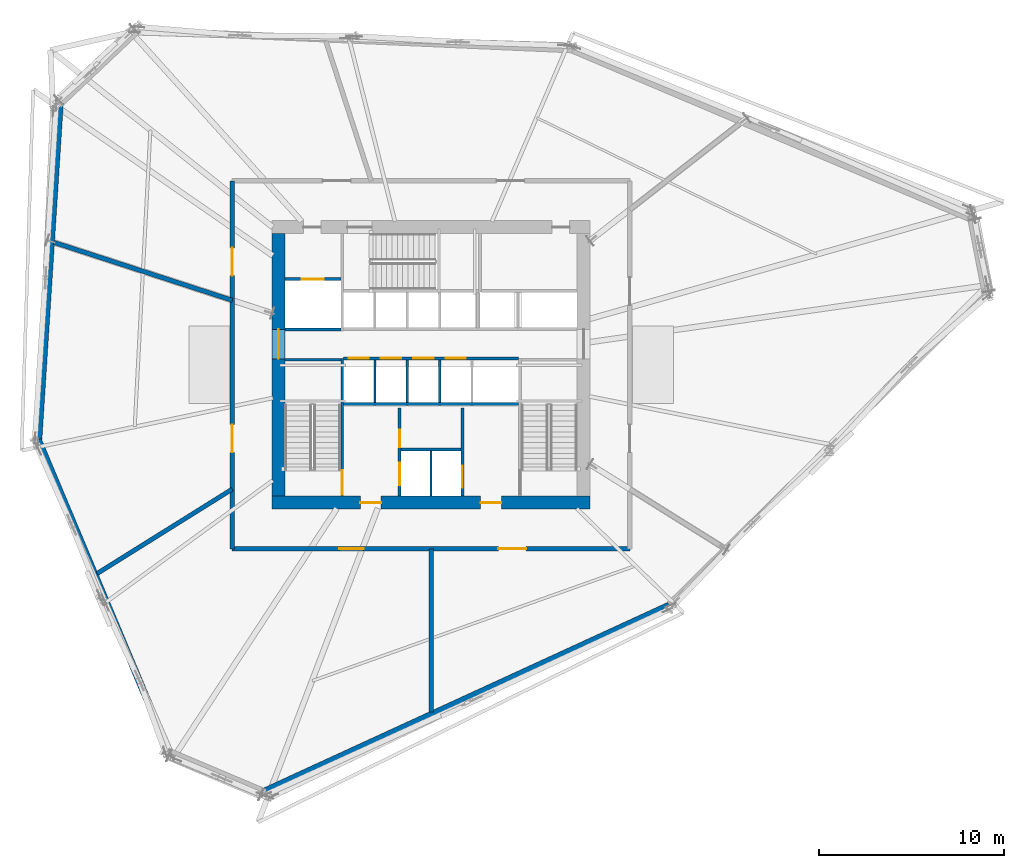
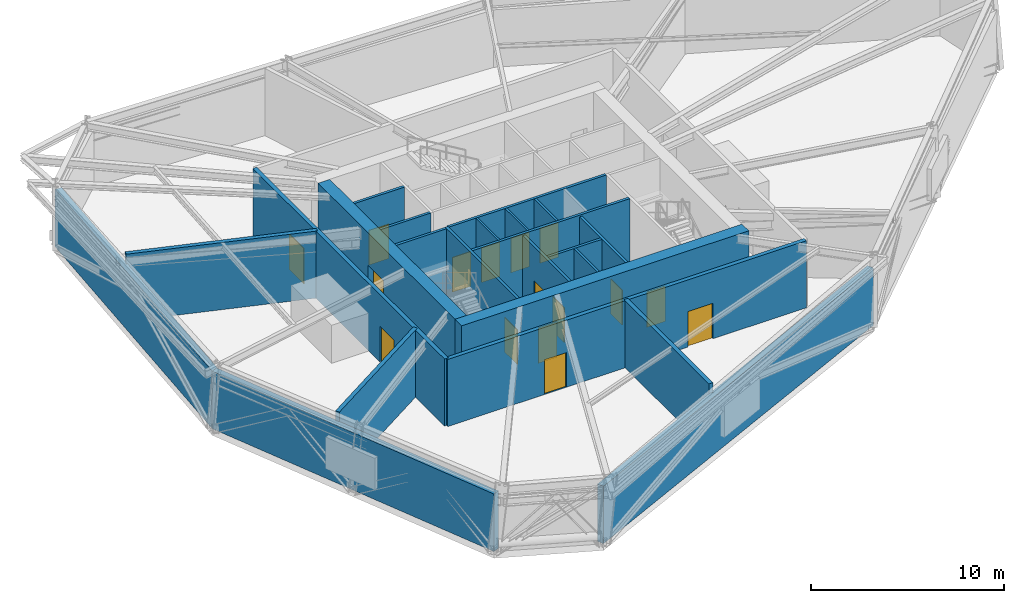
# One storey, part 9 of 15: 23 walls, 16 doors, 16 openings.
"""IFC4 building model written with IfcOpenShell, lengths in metres."""

from ifc_helpers import new_model, si_unit, direction, frame, frame_2d, origin, place, context, subcontext, project, spatial, rectangle, extrude, source, transform, mapped, material, layer, layer_set, type_object, type_shapes, element, fill, save


model = new_model("IFC4")

# Units and contexts
model_context = context("Model", 3, precision=1e-05, world=origin(), true_north=direction((0.0, 1.0)))
body_context = subcontext(model_context, "Body", "Model", "MODEL_VIEW")
ifc_project = project(units=[si_unit("LENGTHUNIT", "METRE"), si_unit("AREAUNIT", "SQUARE_METRE"), si_unit("VOLUMEUNIT", "CUBIC_METRE"), si_unit("PLANEANGLEUNIT", "RADIAN"), si_unit("MASSUNIT", "GRAM", prefix="KILO")], contexts=[model_context])

# Site, building, storey
site_placement = place(None, origin())
site = spatial("IfcSite", under=ifc_project, at=site_placement, CompositionType="ELEMENT")
building_placement = place(site_placement, origin())
building = spatial("IfcBuilding", under=site, at=building_placement, Name="Olszyna Solenne Hotel", CompositionType="ELEMENT")
storey_placement = place(building_placement, frame((0.0, 0.0, 79.89990234375)))
storey = spatial("IfcBuildingStorey", under=building, at=storey_placement, Name="L20", CompositionType="ELEMENT", Elevation=79.89990234375)

# Wall, openings, doors
ifc_material_1 = material(Name="Concrete C60/75", Category="concrete")
ifc_layer_1 = layer(ifc_material_1, 0.699951171875, Name="Concrete C60/75")
ifc_layer_set_1 = layer_set([ifc_layer_1], Name="Concrete C60/75")
wall_type_1 = type_object("IfcWallType", Name="WL-CR700", PredefinedType="SHEAR", material=ifc_layer_set_1)
wall_1_placement = place(storey_placement, frame((46.60009765625, 19.14990234375, 0.0), z_axis=(0.0, 0.0, 1.0), x_axis=(-1.0, 0.0, 0.0)))
wall_1 = element("IfcWall", 1, at=wall_1_placement, inside=storey, type_object=wall_type_1, Name="Core shear wall WL-CR700 CRW-L20-S", PredefinedType="SHEAR", context=body_context, shape_type="SweptSolid", body=[
    extrude(rectangle(XDim=17.2001953125, YDim=0.699951171875, at=frame_2d((8.60009765625, 0.0))), origin(), (0.0, 0.0, 1.0), 4.25),
])
opening_1_placement = place(wall_1_placement, frame((4.800048828125, 0.0, 0.0)))
opening_1 = element("IfcOpeningElement", 2, at=opening_1_placement, cuts=wall_1, Name="Opening FL-L20-1", PredefinedType="OPENING", context=body_context, shape_type="SweptSolid", body=[
    extrude(rectangle(XDim=1.1201171875, YDim=2.25, at=frame_2d((0.56005859375, 1.125))), frame((0.0, 0.35986328125, 0.0), z_axis=(0.0, -1.0, 0.0), x_axis=(1.0, 0.0, 0.0)), (0.0, 0.0, 1.0), 0.719970703125),
])
opening_2_placement = place(wall_1_placement, frame((11.300048828125, 0.0, 0.0)))
opening_2 = element("IfcOpeningElement", 3, at=opening_2_placement, cuts=wall_1, Name="Opening FL-L20-2", PredefinedType="OPENING", context=body_context, shape_type="SweptSolid", body=[
    extrude(rectangle(XDim=1.1201171875, YDim=2.25, at=frame_2d((0.56005859375, 1.125))), frame((0.0, 0.35986328125, 0.0), z_axis=(0.0, -1.0, 0.0), x_axis=(1.0, 0.0, 0.0)), (0.0, 0.0, 1.0), 0.719970703125),
])
ifc_material_2 = material(Name="Steel S355J2", Category="steel")
door_type_1 = type_object("IfcDoorType", Name="DR-FL1", OperationType="NOTDEFINED", PredefinedType="DOOR", material=ifc_material_2)
shared_shape_1 = source(origin(), body_context, "Body", "SweptSolid", [
    extrude(rectangle(XDim=1.1201171875, YDim=2.25, at=frame_2d((0.56005859375, 1.125))), frame((0.0, 0.02490234375, 0.0), z_axis=(0.0, -1.0, 0.0), x_axis=(1.0, 0.0, 0.0)), (0.0, 0.0, 1.0), 0.050048828125),
])
type_shapes(door_type_1, [shared_shape_1])
door_1_placement = place(opening_1_placement, origin())
door_1 = element("IfcDoor", 4, at=door_1_placement, inside=storey, type_object=door_type_1, Name="Firefighting lift lobby smoke door FL-L20-1", OperationType="SINGLE_SWING_LEFT", OverallHeight=2.25, OverallWidth=1.1201171875, PredefinedType="DOOR", context=body_context, shape_type="MappedRepresentation", body=[
    mapped(shared_shape_1, transform((0.0, 0.0, 0.0), x_axis=(1.0, 0.0, 0.0), y_axis=(0.0, 1.0, 0.0), z_axis=(0.0, 0.0, 1.0), scale=1.0)),
])
fill(opening_1, door_1)
door_2_placement = place(opening_2_placement, origin())
door_2 = element("IfcDoor", 5, at=door_2_placement, inside=storey, type_object=door_type_1, Name="Firefighting lift lobby smoke door FL-L20-2", OperationType="SINGLE_SWING_RIGHT", OverallHeight=2.25, OverallWidth=1.1201171875, PredefinedType="DOOR", context=body_context, shape_type="MappedRepresentation", body=[
    mapped(shared_shape_1, transform((0.0, 0.0, 0.0), x_axis=(1.0, 0.0, 0.0), y_axis=(0.0, 1.0, 0.0), z_axis=(0.0, 0.0, 1.0), scale=1.0)),
])
fill(opening_2, door_2)

# Wall, opening, door
wall_2_placement = place(storey_placement, frame((29.75, 19.5, 0.0), z_axis=(0.0, 0.0, 1.0), x_axis=(0.0, 1.0, 0.0)))
wall_2 = element("IfcWall", 6, at=wall_2_placement, inside=storey, type_object=wall_type_1, Name="Core shear wall WL-CR700 CRW-L20-W", PredefinedType="SHEAR", context=body_context, shape_type="SweptSolid", body=[
    extrude(rectangle(XDim=14.199951171875, YDim=0.699951171875, at=frame_2d((7.10009765625, 0.0))), origin(), (0.0, 0.0, 1.0), 4.25),
])
opening_3_placement = place(wall_2_placement, frame((7.419921875, 0.0, 0.0)))
opening_3 = element("IfcOpeningElement", 7, at=opening_3_placement, cuts=wall_2, Name="Opening LHD-L20-W", PredefinedType="OPENING", context=body_context, shape_type="SweptSolid", body=[
    extrude(rectangle(XDim=1.60009765625, YDim=2.199951171875, at=frame_2d((0.800048828125, 1.10009765625))), frame((0.0, 0.35986328125, 0.0), z_axis=(0.0, -1.0, 0.0), x_axis=(1.0, 0.0, 0.0)), (0.0, 0.0, 1.0), 0.719970703125),
])
ifc_material_3 = material(Name="Timber hardwood", Category="wood")
door_type_2 = type_object("IfcDoorType", Name="DR-CR1", OperationType="DOUBLE_DOOR_SINGLE_SWING", PredefinedType="DOOR", material=ifc_material_3)
shared_shape_2 = source(origin(), body_context, "Body", "SweptSolid", [
    extrude(rectangle(XDim=1.60009765625, YDim=2.199951171875, at=frame_2d((0.800048828125, 1.10009765625))), frame((0.0, 0.02490234375, 0.0), z_axis=(0.0, -1.0, 0.0), x_axis=(1.0, 0.0, 0.0)), (0.0, 0.0, 1.0), 0.050048828125),
])
type_shapes(door_type_2, [shared_shape_2])
door_3_placement = place(opening_3_placement, origin())
door_3 = element("IfcDoor", 8, at=door_3_placement, inside=storey, type_object=door_type_2, Name="Passenger lift lobby West fire door LHD-L20-W", OperationType="DOUBLE_DOOR_SINGLE_SWING", OverallHeight=2.199951171875, OverallWidth=1.60009765625, PredefinedType="DOOR", context=body_context, shape_type="MappedRepresentation", body=[
    mapped(shared_shape_2, transform((0.0, 0.0, 0.0), x_axis=(1.0, 0.0, 0.0), y_axis=(0.0, 1.0, 0.0), z_axis=(0.0, 0.0, 1.0), scale=1.0)),
])
fill(opening_3, door_3)

# Walls
ifc_material_4 = material(Name="Terracotta cladding on precast concrete C45/55", Category="masonry")
ifc_layer_2 = layer(ifc_material_4, 0.3798828125, Name="Terracotta cladding on precast concrete C45/55")
ifc_layer_set_2 = layer_set([ifc_layer_2], Name="Terracotta cladding on precast concrete C45/55")
wall_type_2 = type_object("IfcWallType", Name="WL-EX380", PredefinedType="SOLIDWALL", material=ifc_layer_set_2)
wall_3_placement = place(storey_placement, frame((50.87646484375, 13.589599609375, 0.0), z_axis=(0.0, 0.0, 1.0), x_axis=(-0.908687697163, -0.417476549072, 0.0)))
element("IfcWall", 9, at=wall_3_placement, inside=storey, type_object=wall_type_2, Name="Exterior terracotta-precast frame wall WL-EX380 EW-L20-01", PredefinedType="SOLIDWALL", context=body_context, shape_type="SweptSolid", body=[
    extrude(rectangle(XDim=24.21728515625, YDim=0.3798828125, at=frame_2d((12.108642578125, 0.0))), origin(), (0.0, 0.0, 1.0), 3.64208984375),
])
wall_4_placement = place(storey_placement, frame((23.853271484375, 5.607177734375, 0.0), z_axis=(0.0, 0.0, 1.0), x_axis=(-0.386717925578, 0.922198051417, 0.0)))
element("IfcWall", 10, at=wall_4_placement, inside=storey, type_object=wall_type_2, Name="Exterior terracotta-precast frame wall WL-EX380 EW-L20-03", PredefinedType="SOLIDWALL", context=body_context, shape_type="SweptSolid", body=[
    extrude(rectangle(XDim=18.369384765625, YDim=0.3798828125, at=frame_2d((9.1845703125, 0.0))), origin(), (0.0, 0.0, 1.0), 3.64208984375),
])
wall_5_placement = place(storey_placement, frame((16.763916015625, 22.4619140625, 0.0), z_axis=(0.0, 0.0, 1.0), x_axis=(0.063622704695, 0.997974023433, 0.0)))
element("IfcWall", 11, at=wall_5_placement, inside=storey, type_object=wall_type_2, Name="Exterior terracotta-precast frame wall WL-EX380 EW-L20-04", PredefinedType="SOLIDWALL", context=body_context, shape_type="SweptSolid", body=[
    extrude(rectangle(XDim=18.369140625, YDim=0.3798828125, at=frame_2d((9.1845703125, 0.0))), origin(), (0.0, 0.0, 1.0), 3.64208984375),
])
ifc_material_5 = material(Name="Acoustic gypsum partition", Category="gypsum")
ifc_layer_3 = layer(ifc_material_5, 0.125, Name="Acoustic gypsum partition")
ifc_layer_set_3 = layer_set([ifc_layer_3], Name="Acoustic gypsum partition")
wall_type_3 = type_object("IfcWallType", Name="WL-PT125", PredefinedType="PARTITIONING", material=ifc_layer_set_3)
wall_6_placement = place(storey_placement, frame((38.0, 19.5, 0.0), z_axis=(0.0, 0.0, 1.0), x_axis=(0.0, 1.0, 0.0)))
element("IfcWall", 12, at=wall_6_placement, inside=storey, type_object=wall_type_3, Name="Core shaft compartment wall CW-L20-FFM", PredefinedType="PARTITIONING", context=body_context, shape_type="SweptSolid", body=[
    extrude(rectangle(XDim=2.4599609375, YDim=0.125, at=frame_2d((1.22998046875, 0.0))), origin(), (0.0, 0.0, 1.0), 4.25),
])
for number, where, z_axis, x_axis, name in (
    (13, (34.965087890625, 24.56005859375, 0.0), (0.0, 0.0, 1.0), (0.0, 1.0, 0.0), "Core shaft compartment wall CW-L20-DIVS349"),
    (14, (36.715087890625, 24.56005859375, 0.0), (0.0, 0.0, 1.0), (0.0, 1.0, 0.0), "Core shaft compartment wall CW-L20-DIVS367"),
    (15, (38.465087890625, 24.56005859375, 0.0), (0.0, 0.0, 1.0), (0.0, 1.0, 0.0), "Core shaft compartment wall CW-L20-DIVS384"),
):
    element("IfcWall", number, at=place(storey_placement, frame(where, z_axis=z_axis, x_axis=x_axis)), inside=storey, type_object=wall_type_3, Name=name, PredefinedType="PARTITIONING", context=body_context, shape_type="SweptSolid", body=[
        extrude(rectangle(XDim=2.31005859375, YDim=0.125, at=frame_2d((1.155029296875, 0.0))), origin(), (0.0, 0.0, 1.0), 4.25),
    ])

# Wall, opening, door
ifc_layer_4 = layer(ifc_material_5, 0.159912109375, Name="Acoustic gypsum partition")
ifc_layer_set_4 = layer_set([ifc_layer_4], Name="Acoustic gypsum partition")
wall_type_4 = type_object("IfcWallType", Name="WL-PT160", PredefinedType="PARTITIONING", material=ifc_layer_set_4)
wall_7_placement = place(storey_placement, frame((33.199951171875, 19.5, 0.0), z_axis=(0.0, 0.0, 1.0), x_axis=(0.0, 1.0, 0.0)))
wall_7 = element("IfcWall", 16, at=wall_7_placement, inside=storey, type_object=wall_type_4, Name="Core shaft compartment wall CW-L20-ST1E", PredefinedType="PARTITIONING", context=body_context, shape_type="SweptSolid", body=[
    extrude(rectangle(XDim=7.4599609375, YDim=0.159912109375, at=frame_2d((3.72998046875, 0.0))), origin(), (0.0, 0.0, 1.0), 4.25),
])
opening_4_placement = place(wall_7_placement, frame((0.080078125, 0.0, 0.0)))
opening_4 = element("IfcOpeningElement", 17, at=opening_4_placement, cuts=wall_7, Name="Opening STD-L20-01", PredefinedType="OPENING", context=body_context, shape_type="SweptSolid", body=[
    extrude(rectangle(XDim=1.320068359375, YDim=2.199951171875, at=frame_2d((0.66015625, 1.10009765625))), frame((0.0, 0.08984375, 0.0), z_axis=(0.0, -1.0, 0.0), x_axis=(1.0, 0.0, 0.0)), (0.0, 0.0, 1.0), 0.179931640625),
])
door_type_3 = type_object("IfcDoorType", Name="DR-ST1", OperationType="NOTDEFINED", PredefinedType="DOOR", material=ifc_material_2)
shared_shape_3 = source(origin(), body_context, "Body", "SweptSolid", [
    extrude(rectangle(XDim=1.320068359375, YDim=2.199951171875, at=frame_2d((0.66015625, 1.10009765625))), frame((0.0, 0.02490234375, 0.0), z_axis=(0.0, -1.0, 0.0), x_axis=(1.0, 0.0, 0.0)), (0.0, 0.0, 1.0), 0.050048828125),
])
type_shapes(door_type_3, [shared_shape_3])
door_4_placement = place(opening_4_placement, origin())
door_4 = element("IfcDoor", 18, at=door_4_placement, inside=storey, type_object=door_type_3, Name="Pressurised exit stair ST1 fire door STD-L20-01", OperationType="SINGLE_SWING_LEFT", OverallHeight=2.199951171875, OverallWidth=1.320068359375, PredefinedType="DOOR", context=body_context, shape_type="MappedRepresentation", body=[
    mapped(shared_shape_3, transform((0.0, 0.0, 0.0), x_axis=(1.0, 0.0, 0.0), y_axis=(0.0, 1.0, 0.0), z_axis=(0.0, 0.0, 1.0), scale=1.0)),
])
fill(opening_4, door_4)

# Wall
wall_8_placement = place(storey_placement, frame((30.10009765625, 26.8798828125, 0.0), z_axis=(0.0, 0.0, 1.0), x_axis=(1.0, 0.0, 0.0)))
element("IfcWall", 19, at=wall_8_placement, inside=storey, type_object=wall_type_4, Name="Core shaft compartment wall CW-L20-ST1N", PredefinedType="PARTITIONING", context=body_context, shape_type="SweptSolid", body=[
    extrude(rectangle(XDim=3.02001953125, YDim=0.159912109375, at=frame_2d((1.510009765625, 0.0))), origin(), (0.0, 0.0, 1.0), 4.25),
])

# Wall, openings, doors
wall_9_placement = place(storey_placement, frame((36.300048828125, 19.5, 0.0), z_axis=(0.0, 0.0, 1.0), x_axis=(0.0, 1.0, 0.0)))
wall_9 = element("IfcWall", 20, at=wall_9_placement, inside=storey, type_object=wall_type_4, Name="Core shaft compartment wall CW-L20-FF1W", PredefinedType="PARTITIONING", context=body_context, shape_type="SweptSolid", body=[
    extrude(rectangle(XDim=4.780029296875, YDim=0.159912109375, at=frame_2d((2.39013671875, 0.0))), origin(), (0.0, 0.0, 1.0), 4.25),
])
opening_5_placement = place(wall_9_placement, frame((0.60009765625, 0.0, 0.0)))
opening_5 = element("IfcOpeningElement", 21, at=opening_5_placement, cuts=wall_9, Name="Opening LD-L20-FF1", PredefinedType="OPENING", context=body_context, shape_type="SweptSolid", body=[
    extrude(rectangle(XDim=1.199951171875, YDim=2.199951171875, at=frame_2d((0.60009765625, 1.10009765625))), frame((0.0, 0.08984375, 0.0), z_axis=(0.0, -1.0, 0.0), x_axis=(1.0, 0.0, 0.0)), (0.0, 0.0, 1.0), 0.179931640625),
])
opening_6_placement = place(wall_9_placement, frame((2.64990234375, 0.0, 0.0)))
opening_6 = element("IfcOpeningElement", 22, at=opening_6_placement, cuts=wall_9, Name="Opening SVD-L20-SMK", PredefinedType="OPENING", context=body_context, shape_type="SweptSolid", body=[
    extrude(rectangle(XDim=0.949951171875, YDim=2.10009765625, at=frame_2d((0.47509765625, 1.050048828125))), frame((0.0, 0.08984375, 0.0), z_axis=(0.0, -1.0, 0.0), x_axis=(1.0, 0.0, 0.0)), (0.0, 0.0, 1.0), 0.179931640625),
])
door_type_4 = type_object("IfcDoorType", Name="DR-SV1", OperationType="NOTDEFINED", PredefinedType="DOOR", material=ifc_material_2)
shared_shape_4 = source(origin(), body_context, "Body", "SweptSolid", [
    extrude(rectangle(XDim=0.949951171875, YDim=2.10009765625, at=frame_2d((0.47509765625, 1.050048828125))), frame((0.0, 0.02490234375, 0.0), z_axis=(0.0, -1.0, 0.0), x_axis=(1.0, 0.0, 0.0)), (0.0, 0.0, 1.0), 0.050048828125),
])
type_shapes(door_type_4, [shared_shape_4])
door_5_placement = place(opening_6_placement, origin())
door_5 = element("IfcDoor", 23, at=door_5_placement, inside=storey, type_object=door_type_4, Name="Valet and core service room door SVD-L20-SMK", OperationType="SINGLE_SWING_LEFT", OverallHeight=2.10009765625, OverallWidth=0.949951171875, PredefinedType="DOOR", context=body_context, shape_type="MappedRepresentation", body=[
    mapped(shared_shape_4, transform((0.0, 0.0, 0.0), x_axis=(1.0, 0.0, 0.0), y_axis=(0.0, 1.0, 0.0), z_axis=(0.0, 0.0, 1.0), scale=1.0)),
])
fill(opening_6, door_5)
door_type_5 = type_object("IfcDoorType", Name="LD-FF1", OperationType="DOUBLE_DOOR_SLIDING", PredefinedType="DOOR", material=ifc_material_2)
shared_shape_5 = source(origin(), body_context, "Body", "SweptSolid", [
    extrude(rectangle(XDim=1.199951171875, YDim=2.199951171875, at=frame_2d((0.60009765625, 1.10009765625))), frame((0.0, 0.02490234375, 0.0), z_axis=(0.0, -1.0, 0.0), x_axis=(1.0, 0.0, 0.0)), (0.0, 0.0, 1.0), 0.050048828125),
])
type_shapes(door_type_5, [shared_shape_5])
door_6_placement = place(opening_5_placement, origin())
door_6 = element("IfcDoor", 24, at=door_6_placement, inside=storey, type_object=door_type_5, Name="Firefighters lift FF1 sliding landing door LD-L20-FF1", OperationType="DOUBLE_DOOR_SLIDING", OverallHeight=2.199951171875, OverallWidth=1.199951171875, PredefinedType="DOOR", context=body_context, shape_type="MappedRepresentation", body=[
    mapped(shared_shape_5, transform((0.0, 0.0, 0.0), x_axis=(1.0, 0.0, 0.0), y_axis=(0.0, 1.0, 0.0), z_axis=(0.0, 0.0, 1.0), scale=1.0)),
])
fill(opening_5, door_6)

# Wall, opening, door
wall_10_placement = place(storey_placement, frame((39.699951171875, 24.280029296875, 0.0), z_axis=(0.0, 0.0, 1.0), x_axis=(0.0, -1.0, 0.0)))
wall_10 = element("IfcWall", 25, at=wall_10_placement, inside=storey, type_object=wall_type_4, Name="Core shaft compartment wall CW-L20-FF2E", PredefinedType="PARTITIONING", context=body_context, shape_type="SweptSolid", body=[
    extrude(rectangle(XDim=4.780029296875, YDim=0.159912109375, at=frame_2d((2.39013671875, 0.0))), origin(), (0.0, 0.0, 1.0), 4.25),
])
opening_7_placement = place(wall_10_placement, frame((3.1201171875, 0.0, 0.0)))
opening_7 = element("IfcOpeningElement", 26, at=opening_7_placement, cuts=wall_10, Name="Opening LD-L20-FF2", PredefinedType="OPENING", context=body_context, shape_type="SweptSolid", body=[
    extrude(rectangle(XDim=1.199951171875, YDim=2.199951171875, at=frame_2d((0.60009765625, 1.10009765625))), frame((0.0, 0.08984375, 0.0), z_axis=(0.0, -1.0, 0.0), x_axis=(1.0, 0.0, 0.0)), (0.0, 0.0, 1.0), 0.179931640625),
])
door_7_placement = place(opening_7_placement, origin())
door_7 = element("IfcDoor", 27, at=door_7_placement, inside=storey, type_object=door_type_5, Name="Firefighters lift FF2 sliding landing door LD-L20-FF2", OperationType="DOUBLE_DOOR_SLIDING", OverallHeight=2.199951171875, OverallWidth=1.199951171875, PredefinedType="DOOR", context=body_context, shape_type="MappedRepresentation", body=[
    mapped(shared_shape_5, transform((0.0, 0.0, 0.0), x_axis=(1.0, 0.0, 0.0), y_axis=(0.0, 1.0, 0.0), z_axis=(0.0, 0.0, 1.0), scale=1.0)),
])
fill(opening_7, door_7)

# Walls
wall_11_placement = place(storey_placement, frame((36.3798828125, 22.02001953125, 0.0), z_axis=(0.0, 0.0, 1.0), x_axis=(1.0, 0.0, 0.0)))
element("IfcWall", 28, at=wall_11_placement, inside=storey, type_object=wall_type_4, Name="Core shaft compartment wall CW-L20-FFN", PredefinedType="PARTITIONING", context=body_context, shape_type="SweptSolid", body=[
    extrude(rectangle(XDim=3.240234375, YDim=0.159912109375, at=frame_2d((1.6201171875, 0.0))), origin(), (0.0, 0.0, 1.0), 4.25),
])
wall_12_placement = place(storey_placement, frame((33.280029296875, 24.489990234375, 0.0), z_axis=(0.0, 0.0, 1.0), x_axis=(1.0, 0.0, 0.0)))
element("IfcWall", 29, at=wall_12_placement, inside=storey, type_object=wall_type_4, Name="Core shaft compartment wall CW-L20-FFBN", PredefinedType="PARTITIONING", context=body_context, shape_type="SweptSolid", body=[
    extrude(rectangle(XDim=9.43994140625, YDim=0.159912109375, at=frame_2d((4.719970703125, 0.0))), origin(), (0.0, 0.0, 1.0), 4.25),
])
wall_13_placement = place(storey_placement, frame((30.10009765625, 28.52001953125, 0.0), z_axis=(0.0, 0.0, 1.0), x_axis=(1.0, 0.0, 0.0)))
element("IfcWall", 30, at=wall_13_placement, inside=storey, type_object=wall_type_4, Name="Core shaft compartment wall CW-L20-SV1S", PredefinedType="PARTITIONING", context=body_context, shape_type="SweptSolid", body=[
    extrude(rectangle(XDim=3.02001953125, YDim=0.159912109375, at=frame_2d((1.510009765625, 0.0))), origin(), (0.0, 0.0, 1.0), 4.25),
])

# Wall, opening, door
wall_14_placement = place(storey_placement, frame((30.10009765625, 31.239990234375, 0.0), z_axis=(0.0, 0.0, 1.0), x_axis=(1.0, 0.0, 0.0)))
wall_14 = element("IfcWall", 31, at=wall_14_placement, inside=storey, type_object=wall_type_4, Name="Core shaft compartment wall CW-L20-SV1N", PredefinedType="PARTITIONING", context=body_context, shape_type="SweptSolid", body=[
    extrude(rectangle(XDim=3.02001953125, YDim=0.159912109375, at=frame_2d((1.510009765625, 0.0))), origin(), (0.0, 0.0, 1.0), 4.25),
])
opening_8_placement = place(wall_14_placement, frame((0.909912109375, 0.0, 0.0)))
opening_8 = element("IfcOpeningElement", 32, at=opening_8_placement, cuts=wall_14, Name="Opening LD-L20-SV1", PredefinedType="OPENING", context=body_context, shape_type="SweptSolid", body=[
    extrude(rectangle(XDim=1.199951171875, YDim=2.199951171875, at=frame_2d((0.60009765625, 1.10009765625))), frame((0.0, 0.08984375, 0.0), z_axis=(0.0, -1.0, 0.0), x_axis=(1.0, 0.0, 0.0)), (0.0, 0.0, 1.0), 0.179931640625),
])
door_8_placement = place(opening_8_placement, origin())
door_8 = element("IfcDoor", 33, at=door_8_placement, inside=storey, type_object=door_type_5, Name="Service lift SV1 sliding landing door LD-L20-SV1", OperationType="DOUBLE_DOOR_SLIDING", OverallHeight=2.199951171875, OverallWidth=1.199951171875, PredefinedType="DOOR", context=body_context, shape_type="MappedRepresentation", body=[
    mapped(shared_shape_5, transform((0.0, 0.0, 0.0), x_axis=(1.0, 0.0, 0.0), y_axis=(0.0, 1.0, 0.0), z_axis=(0.0, 0.0, 1.0), scale=1.0)),
])
fill(opening_8, door_8)

# Wall, openings, doors
wall_15_placement = place(storey_placement, frame((33.280029296875, 26.949951171875, 0.0), z_axis=(0.0, 0.0, 1.0), x_axis=(1.0, 0.0, 0.0)))
wall_15 = element("IfcWall", 34, at=wall_15_placement, inside=storey, type_object=wall_type_4, Name="Core shaft compartment wall CW-L20-LRS", PredefinedType="PARTITIONING", context=body_context, shape_type="SweptSolid", body=[
    extrude(rectangle(XDim=9.43994140625, YDim=0.159912109375, at=frame_2d((4.719970703125, 0.0))), origin(), (0.0, 0.0, 1.0), 4.25),
])
opening_9_placement = place(wall_15_placement, frame((0.260009765625, 0.0, 0.0)))
opening_9 = element("IfcOpeningElement", 35, at=opening_9_placement, cuts=wall_15, Name="Opening LD-L20-PL1", PredefinedType="OPENING", context=body_context, shape_type="SweptSolid", body=[
    extrude(rectangle(XDim=1.10009765625, YDim=2.199951171875, at=frame_2d((0.550048828125, 1.10009765625))), frame((0.0, 0.08984375, 0.0), z_axis=(0.0, -1.0, 0.0), x_axis=(1.0, 0.0, 0.0)), (0.0, 0.0, 1.0), 0.179931640625),
])
opening_10_placement = place(wall_15_placement, frame((2.010009765625, 0.0, 0.0)))
opening_10 = element("IfcOpeningElement", 36, at=opening_10_placement, cuts=wall_15, Name="Opening LD-L20-PL2", PredefinedType="OPENING", context=body_context, shape_type="SweptSolid", body=[
    extrude(rectangle(XDim=1.10009765625, YDim=2.199951171875, at=frame_2d((0.550048828125, 1.10009765625))), frame((0.0, 0.08984375, 0.0), z_axis=(0.0, -1.0, 0.0), x_axis=(1.0, 0.0, 0.0)), (0.0, 0.0, 1.0), 0.179931640625),
])
opening_11_placement = place(wall_15_placement, frame((3.760009765625, 0.0, 0.0)))
opening_11 = element("IfcOpeningElement", 37, at=opening_11_placement, cuts=wall_15, Name="Opening LD-L20-PL3", PredefinedType="OPENING", context=body_context, shape_type="SweptSolid", body=[
    extrude(rectangle(XDim=1.10009765625, YDim=2.199951171875, at=frame_2d((0.550048828125, 1.10009765625))), frame((0.0, 0.08984375, 0.0), z_axis=(0.0, -1.0, 0.0), x_axis=(1.0, 0.0, 0.0)), (0.0, 0.0, 1.0), 0.179931640625),
])
opening_12_placement = place(wall_15_placement, frame((5.510009765625, 0.0, 0.0)))
opening_12 = element("IfcOpeningElement", 38, at=opening_12_placement, cuts=wall_15, Name="Opening LD-L20-PL4", PredefinedType="OPENING", context=body_context, shape_type="SweptSolid", body=[
    extrude(rectangle(XDim=1.10009765625, YDim=2.199951171875, at=frame_2d((0.550048828125, 1.10009765625))), frame((0.0, 0.08984375, 0.0), z_axis=(0.0, -1.0, 0.0), x_axis=(1.0, 0.0, 0.0)), (0.0, 0.0, 1.0), 0.179931640625),
])
door_type_6 = type_object("IfcDoorType", Name="LD-P1", OperationType="DOUBLE_DOOR_SLIDING", PredefinedType="DOOR", material=ifc_material_2)
shared_shape_6 = source(origin(), body_context, "Body", "SweptSolid", [
    extrude(rectangle(XDim=1.10009765625, YDim=2.199951171875, at=frame_2d((0.550048828125, 1.10009765625))), frame((0.0, 0.02490234375, 0.0), z_axis=(0.0, -1.0, 0.0), x_axis=(1.0, 0.0, 0.0)), (0.0, 0.0, 1.0), 0.050048828125),
])
type_shapes(door_type_6, [shared_shape_6])
door_9_placement = place(opening_9_placement, origin())
door_9 = element("IfcDoor", 39, at=door_9_placement, inside=storey, type_object=door_type_6, Name="Passenger lift PL1 sliding landing door LD-L20-PL1", OperationType="DOUBLE_DOOR_SLIDING", OverallHeight=2.199951171875, OverallWidth=1.10009765625, PredefinedType="DOOR", context=body_context, shape_type="MappedRepresentation", body=[
    mapped(shared_shape_6, transform((0.0, 0.0, 0.0), x_axis=(1.0, 0.0, 0.0), y_axis=(0.0, 1.0, 0.0), z_axis=(0.0, 0.0, 1.0), scale=1.0)),
])
fill(opening_9, door_9)
door_10_placement = place(opening_10_placement, origin())
door_10 = element("IfcDoor", 40, at=door_10_placement, inside=storey, type_object=door_type_6, Name="Passenger lift PL2 sliding landing door LD-L20-PL2", OperationType="DOUBLE_DOOR_SLIDING", OverallHeight=2.199951171875, OverallWidth=1.10009765625, PredefinedType="DOOR", context=body_context, shape_type="MappedRepresentation", body=[
    mapped(shared_shape_6, transform((0.0, 0.0, 0.0), x_axis=(1.0, 0.0, 0.0), y_axis=(0.0, 1.0, 0.0), z_axis=(0.0, 0.0, 1.0), scale=1.0)),
])
fill(opening_10, door_10)
door_11_placement = place(opening_11_placement, origin())
door_11 = element("IfcDoor", 41, at=door_11_placement, inside=storey, type_object=door_type_6, Name="Passenger lift PL3 sliding landing door LD-L20-PL3", OperationType="DOUBLE_DOOR_SLIDING", OverallHeight=2.199951171875, OverallWidth=1.10009765625, PredefinedType="DOOR", context=body_context, shape_type="MappedRepresentation", body=[
    mapped(shared_shape_6, transform((0.0, 0.0, 0.0), x_axis=(1.0, 0.0, 0.0), y_axis=(0.0, 1.0, 0.0), z_axis=(0.0, 0.0, 1.0), scale=1.0)),
])
fill(opening_11, door_11)
door_12_placement = place(opening_12_placement, origin())
door_12 = element("IfcDoor", 42, at=door_12_placement, inside=storey, type_object=door_type_6, Name="Passenger lift PL4 sliding landing door LD-L20-PL4", OperationType="DOUBLE_DOOR_SLIDING", OverallHeight=2.199951171875, OverallWidth=1.10009765625, PredefinedType="DOOR", context=body_context, shape_type="MappedRepresentation", body=[
    mapped(shared_shape_6, transform((0.0, 0.0, 0.0), x_axis=(1.0, 0.0, 0.0), y_axis=(0.0, 1.0, 0.0), z_axis=(0.0, 0.0, 1.0), scale=1.0)),
])
fill(opening_12, door_12)

# Walls
ifc_layer_5 = layer(ifc_material_5, 0.239990234375, Name="Acoustic gypsum partition")
ifc_layer_set_5 = layer_set([ifc_layer_5], Name="Acoustic gypsum partition")
wall_type_5 = type_object("IfcWallType", Name="WL-PT240", PredefinedType="PARTITIONING", material=ifc_layer_set_5)
wall_16_placement = place(storey_placement, frame((27.25, 19.8828125, 0.0), z_axis=(0.0, 0.0, 1.0), x_axis=(-0.848038103276, -0.529935255849, 0.0)))
element("IfcWall", 43, at=wall_16_placement, inside=storey, type_object=wall_type_5, Name="Interior acoustic partition WL-PT240 PW-L20-1133", PredefinedType="PARTITIONING", context=body_context, shape_type="SweptSolid", body=[
    extrude(rectangle(XDim=8.614990234375, YDim=0.239990234375, at=frame_2d((4.3076171875, 0.0))), origin(), (0.0, 0.0, 1.0), 4.25),
])
wall_17_placement = place(storey_placement, frame((38.0, 16.64990234375, 0.0), z_axis=(0.0, 0.0, 1.0), x_axis=(0.0, -1.0, 0.0)))
element("IfcWall", 44, at=wall_17_placement, inside=storey, type_object=wall_type_5, Name="Interior acoustic partition WL-PT240 PW-L20-1134", PredefinedType="PARTITIONING", context=body_context, shape_type="SweptSolid", body=[
    extrude(rectangle(XDim=8.81103515625, YDim=0.239990234375, at=frame_2d((4.405517578125, 0.0))), origin(), (0.0, 0.0, 1.0), 4.25),
])
wall_18_placement = place(storey_placement, frame((27.25, 30.093017578125, 0.0), z_axis=(0.0, 0.0, 1.0), x_axis=(-0.95105740787, 0.309014250376, 0.0)))
element("IfcWall", 45, at=wall_18_placement, inside=storey, type_object=wall_type_5, Name="Interior acoustic partition WL-PT240 PW-L20-1138", PredefinedType="PARTITIONING", context=body_context, shape_type="SweptSolid", body=[
    extrude(rectangle(XDim=10.14599609375, YDim=0.239990234375, at=frame_2d((5.072998046875, 0.0))), origin(), (0.0, 0.0, 1.0), 4.25),
])

# Wall, openings, doors
wall_19_placement = place(storey_placement, frame((27.25, 16.64990234375, 0.0), z_axis=(0.0, 0.0, 1.0), x_axis=(1.0, 0.0, 0.0)))
wall_19 = element("IfcWall", 46, at=wall_19_placement, inside=storey, type_object=wall_type_5, Name="Interior acoustic partition WL-PT240 PW-L20-1139", PredefinedType="PARTITIONING", context=body_context, shape_type="SweptSolid", body=[
    extrude(rectangle(XDim=21.5, YDim=0.239990234375, at=frame_2d((10.75, 0.0))), origin(), (0.0, 0.0, 1.0), 4.25),
])
opening_13_placement = place(wall_19_placement, frame((5.7900390625, 0.0, 0.0)))
opening_13 = element("IfcOpeningElement", 47, at=opening_13_placement, cuts=wall_19, Name="Opening DR-L20-0259", PredefinedType="OPENING", context=body_context, shape_type="SweptSolid", body=[
    extrude(rectangle(XDim=1.320068359375, YDim=2.199951171875, at=frame_2d((0.66015625, 1.10009765625))), frame((0.0, 0.1298828125, 0.0), z_axis=(0.0, -1.0, 0.0), x_axis=(1.0, 0.0, 0.0)), (0.0, 0.0, 1.0), 0.260009765625),
])
opening_14_placement = place(wall_19_placement, frame((14.389892578125, 0.0, 0.0)))
opening_14 = element("IfcOpeningElement", 48, at=opening_14_placement, cuts=wall_19, Name="Opening DR-L20-0260", PredefinedType="OPENING", context=body_context, shape_type="SweptSolid", body=[
    extrude(rectangle(XDim=1.5, YDim=2.25, at=frame_2d((0.75, 1.125))), frame((0.0, 0.1298828125, 0.0), z_axis=(0.0, -1.0, 0.0), x_axis=(1.0, 0.0, 0.0)), (0.0, 0.0, 1.0), 0.260009765625),
])
door_13_placement = place(opening_13_placement, origin())
door_13 = element("IfcDoor", 49, at=door_13_placement, inside=storey, type_object=door_type_3, Name="Refuge / Plant Fire Door DR-L20-0259", OperationType="SINGLE_SWING_LEFT", OverallHeight=2.199951171875, OverallWidth=1.320068359375, PredefinedType="DOOR", context=body_context, shape_type="MappedRepresentation", body=[
    mapped(shared_shape_3, transform((0.0, 0.0, 0.0), x_axis=(1.0, 0.0, 0.0), y_axis=(0.0, 1.0, 0.0), z_axis=(0.0, 0.0, 1.0), scale=1.0)),
])
fill(opening_13, door_13)
door_type_7 = type_object("IfcDoorType", Name="DR-PL1", OperationType="DOUBLE_DOOR_SINGLE_SWING", PredefinedType="DOOR", material=ifc_material_2)
shared_shape_7 = source(origin(), body_context, "Body", "SweptSolid", [
    extrude(rectangle(XDim=1.5, YDim=2.25, at=frame_2d((0.75, 1.125))), frame((0.0, 0.02490234375, 0.0), z_axis=(0.0, -1.0, 0.0), x_axis=(1.0, 0.0, 0.0)), (0.0, 0.0, 1.0), 0.050048828125),
])
type_shapes(door_type_7, [shared_shape_7])
door_14_placement = place(opening_14_placement, origin())
door_14 = element("IfcDoor", 50, at=door_14_placement, inside=storey, type_object=door_type_7, Name="Refuge / Plant Fire Door DR-L20-0260", OperationType="DOUBLE_DOOR_SINGLE_SWING", OverallHeight=2.25, OverallWidth=1.5, PredefinedType="DOOR", context=body_context, shape_type="MappedRepresentation", body=[
    mapped(shared_shape_7, transform((0.0, 0.0, 0.0), x_axis=(1.0, 0.0, 0.0), y_axis=(0.0, 1.0, 0.0), z_axis=(0.0, 0.0, 1.0), scale=1.0)),
])
fill(opening_14, door_14)

wall_20_placement = place(storey_placement, frame((27.25, 16.64990234375, 0.0), z_axis=(0.0, 0.0, 1.0), x_axis=(0.0, 1.0, 0.0)))
wall_20 = element("IfcWall", 51, at=wall_20_placement, inside=storey, type_object=wall_type_5, Name="Interior acoustic partition WL-PT240 PW-L20-1141", PredefinedType="PARTITIONING", context=body_context, shape_type="SweptSolid", body=[
    extrude(rectangle(XDim=19.900146484375, YDim=0.239990234375, at=frame_2d((9.9501953125, 0.0))), origin(), (0.0, 0.0, 1.0), 4.25),
])
opening_15_placement = place(wall_20_placement, frame((5.219970703125, 0.0, 0.0)))
opening_15 = element("IfcOpeningElement", 52, at=opening_15_placement, cuts=wall_20, Name="Opening DR-L20-0263", PredefinedType="OPENING", context=body_context, shape_type="SweptSolid", body=[
    extrude(rectangle(XDim=1.5, YDim=2.25, at=frame_2d((0.75, 1.125))), frame((0.0, 0.1298828125, 0.0), z_axis=(0.0, -1.0, 0.0), x_axis=(1.0, 0.0, 0.0)), (0.0, 0.0, 1.0), 0.260009765625),
])
opening_16_placement = place(wall_20_placement, frame((14.780029296875, 0.0, 0.0)))
opening_16 = element("IfcOpeningElement", 53, at=opening_16_placement, cuts=wall_20, Name="Opening DR-L20-0264", PredefinedType="OPENING", context=body_context, shape_type="SweptSolid", body=[
    extrude(rectangle(XDim=1.5, YDim=2.25, at=frame_2d((0.75, 1.125))), frame((0.0, 0.1298828125, 0.0), z_axis=(0.0, -1.0, 0.0), x_axis=(1.0, 0.0, 0.0)), (0.0, 0.0, 1.0), 0.260009765625),
])
door_15_placement = place(opening_15_placement, origin())
door_15 = element("IfcDoor", 54, at=door_15_placement, inside=storey, type_object=door_type_7, Name="Refuge / Plant Fire Door DR-L20-0263", OperationType="DOUBLE_DOOR_SINGLE_SWING", OverallHeight=2.25, OverallWidth=1.5, PredefinedType="DOOR", context=body_context, shape_type="MappedRepresentation", body=[
    mapped(shared_shape_7, transform((0.0, 0.0, 0.0), x_axis=(1.0, 0.0, 0.0), y_axis=(0.0, 1.0, 0.0), z_axis=(0.0, 0.0, 1.0), scale=1.0)),
])
fill(opening_15, door_15)
door_16_placement = place(opening_16_placement, origin())
door_16 = element("IfcDoor", 55, at=door_16_placement, inside=storey, type_object=door_type_7, Name="Refuge / Plant Fire Door DR-L20-0264", OperationType="DOUBLE_DOOR_SINGLE_SWING", OverallHeight=2.25, OverallWidth=1.5, PredefinedType="DOOR", context=body_context, shape_type="MappedRepresentation", body=[
    mapped(shared_shape_7, transform((0.0, 0.0, 0.0), x_axis=(1.0, 0.0, 0.0), y_axis=(0.0, 1.0, 0.0), z_axis=(0.0, 0.0, 1.0), scale=1.0)),
])
fill(opening_16, door_16)

save(model, "model.ifc")
